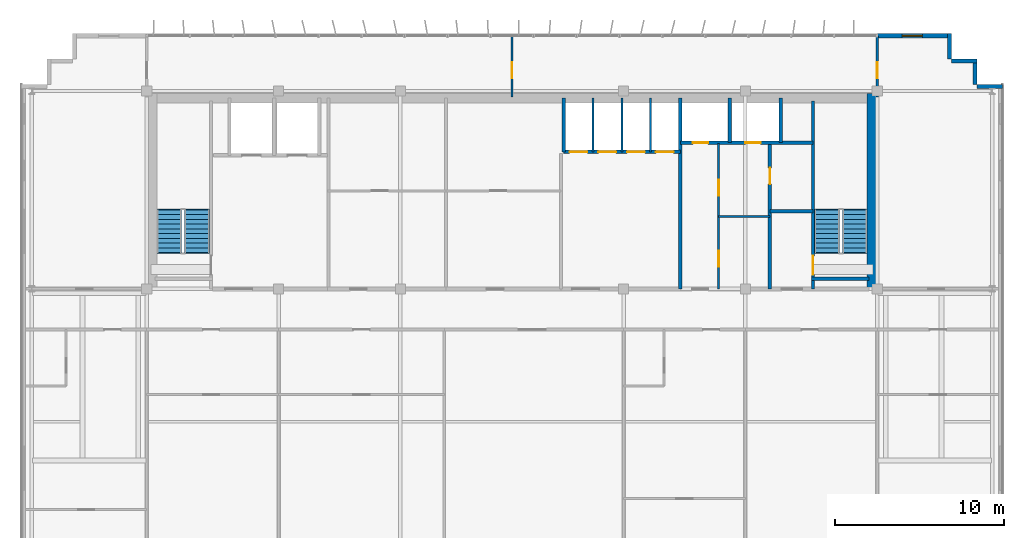
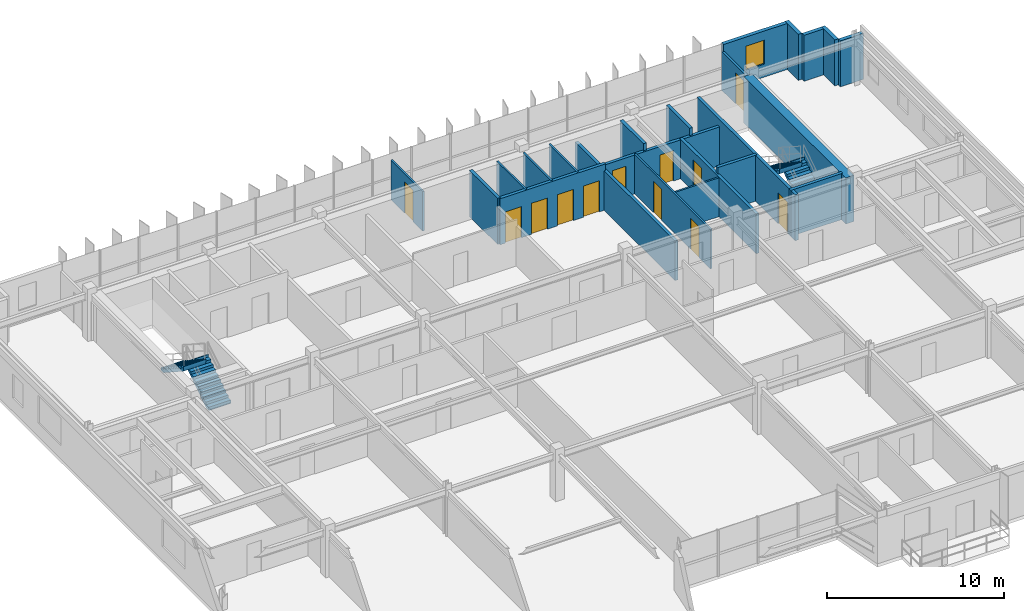
# One storey, part 24 of 26: 23 walls, 12 doors, 4 stair flights, 1 window, 13 openings, 2 elements without a shape of their own.
"""IFC4 building model written with IfcOpenShell, lengths in metres."""

from ifc_helpers import new_model, si_unit, direction, frame, frame_2d, origin, place, context, subcontext, project, spatial, polyline, rectangle, outline, extrude, source, transform, mapped, material, layer, layer_set, type_object, element, fill, aggregate, save


model = new_model("IFC4")

# Units and contexts
model_context = context("Model", 3, precision=1e-05, world=origin(), true_north=direction((0.0, 1.0)))
body_context = subcontext(model_context, "Body", "Model", "MODEL_VIEW")
ifc_project = project(units=[si_unit("LENGTHUNIT", "METRE"), si_unit("AREAUNIT", "SQUARE_METRE"), si_unit("VOLUMEUNIT", "CUBIC_METRE"), si_unit("PLANEANGLEUNIT", "RADIAN"), si_unit("MASSUNIT", "GRAM", prefix="KILO")], contexts=[model_context])

# Site, building, storey
site_placement = place(None, origin())
site = spatial("IfcSite", under=ifc_project, at=site_placement, CompositionType="ELEMENT")
building_placement = place(site_placement, origin())
building = spatial("IfcBuilding", under=site, at=building_placement, Name="Trelvane Seafront Commons", CompositionType="ELEMENT")
storey_placement = place(building_placement, frame((0.0, 0.0, 291.89990234375)))
storey = spatial("IfcBuildingStorey", under=building, at=storey_placement, Name="L76", CompositionType="ELEMENT", Elevation=291.89990234375)

# Wall, opening, window
ifc_material_1 = material(Name="Precast concrete C40/50", Category="concrete")
ifc_layer_1 = layer(ifc_material_1, 0.239990234375, Name="ARCH-WALL-EXT240")
ifc_layer_set_1 = layer_set([ifc_layer_1], Name="Precast concrete C40/50")
wall_type_1 = type_object("IfcWallType", Name="ARCH-WALL-EXT240", PredefinedType="SOLIDWALL", material=ifc_layer_set_1)
wall_1_placement = place(storey_placement, frame((58.800048828125, 48.3701171875, 0.0), z_axis=(0.0, 0.0, 1.0), x_axis=(1.0, 0.0, 0.0)))
wall_1 = element("IfcWall", 1, at=wall_1_placement, inside=storey, type_object=wall_type_1, Name="EW-L76-NE-1534", PredefinedType="SOLIDWALL", context=body_context, shape_type="SweptSolid", body=[
    extrude(rectangle(XDim=4.300048828125, YDim=0.239990234375, at=frame_2d((2.14990234375, 0.0))), origin(), (0.0, 0.0, 1.0), 3.18017578125),
])
opening_1_placement = place(wall_1_placement, frame((1.4599609375, 0.0, 0.89990234375)))
opening_1 = element("IfcOpeningElement", 2, at=opening_1_placement, cuts=wall_1, Name="Opening W05", PredefinedType="OPENING", context=body_context, shape_type="SweptSolid", body=[
    extrude(rectangle(XDim=1.199951171875, YDim=1.64990234375, at=frame_2d((0.60009765625, 0.824951171875))), frame((0.0, 0.1298828125, 0.0), z_axis=(0.0, -1.0, 0.0), x_axis=(1.0, 0.0, 0.0)), (0.0, 0.0, 1.0), 0.260009765625),
])
ifc_material_2 = material(Name="Low-E coastal double glazing", Category="glass")
window_type = type_object("IfcWindowType", Name="ARCH-WIN-W05", PartitioningType="SINGLE_PANEL", PredefinedType="WINDOW", material=ifc_material_2)
shared_shape_1 = source(origin(), body_context, "Body", "SweptSolid", [
    extrude(rectangle(XDim=1.199951171875, YDim=1.64990234375, at=frame_2d((0.60009765625, 0.824951171875))), frame((0.0, 0.030029296875, 0.0), z_axis=(0.0, -1.0, 0.0), x_axis=(1.0, 0.0, 0.0)), (0.0, 0.0, 1.0), 0.06005859375),
])
window_placement = place(opening_1_placement, origin())
window = element("IfcWindow", 3, at=window_placement, inside=storey, type_object=window_type, Name="WIN-L76-01818", OverallHeight=1.64990234375, OverallWidth=1.199951171875, PartitioningType="SINGLE_PANEL", PredefinedType="WINDOW", context=body_context, shape_type="MappedRepresentation", body=[
    mapped(shared_shape_1, transform((0.0, 0.0, 0.0), x_axis=(1.0, 0.0, 0.0), y_axis=(0.0, 1.0, 0.0), z_axis=(0.0, 0.0, 1.0), scale=1.0)),
])
fill(opening_1, window)

# Walls
for number, where, z_axis, x_axis, name in (
    (4, (63.080078125, 48.5, 0.0), (0.0, 0.0, 1.0), (0.0, -1.0, 0.0), "EW-L76-01543"),
    (5, (63.199951171875, 46.8798828125, 0.0), (0.0, 0.0, 1.0), (1.0, 0.0, 0.0), "EW-L76-01544"),
    (6, (64.580078125, 47.0, 0.0), (0.0, 0.0, 1.0), (0.0, -1.0, 0.0), "EW-L76-01545"),
    (7, (64.699951171875, 45.3798828125, 0.0), (0.0, 0.0, 1.0), (1.0, 0.0, 0.0), "EW-L76-01546"),
):
    element("IfcWall", number, at=place(storey_placement, frame(where, z_axis=z_axis, x_axis=x_axis)), inside=storey, type_object=wall_type_1, Name=name, PredefinedType="SOLIDWALL", context=body_context, shape_type="SweptSolid", body=[
        extrude(rectangle(XDim=1.5, YDim=0.239990234375, at=frame_2d((0.75, 0.0))), origin(), (0.0, 0.0, 1.0), 3.18017578125),
    ])

# Wall, opening, door
ifc_material_3 = material(Name="Concrete C40/50", Category="concrete")
ifc_layer_2 = layer(ifc_material_3, 0.199951171875, Name="ARCH-WALL-FIRE200")
ifc_layer_set_2 = layer_set([ifc_layer_2], Name="Concrete C40/50")
wall_type_2 = type_object("IfcWallType", Name="ARCH-WALL-FIRE200", PredefinedType="PARTITIONING", material=ifc_layer_set_2)
wall_2_placement = place(storey_placement, frame((52.449951171875, 33.39990234375, 0.0), z_axis=(0.0, 0.0, 1.0), x_axis=(0.0, 1.0, 0.0)))
wall_2 = element("IfcWall", 8, at=wall_2_placement, inside=storey, type_object=wall_type_2, Name="W-L76-ST2V-W-030", PredefinedType="PARTITIONING", context=body_context, shape_type="SweptSolid", body=[
    extrude(rectangle(XDim=8.650146484375, YDim=0.199951171875, at=frame_2d((4.3251953125, 0.0))), origin(), (0.0, 0.0, 1.0), 2.72998046875),
])
opening_2_placement = place(wall_2_placement, frame((6.199951171875, 0.0, 0.0)))
opening_2 = element("IfcOpeningElement", 9, at=opening_2_placement, cuts=wall_2, Name="Opening FD-L76-17", PredefinedType="OPENING", context=body_context, shape_type="SweptSolid", body=[
    extrude(rectangle(XDim=0.949951171875, YDim=2.14990234375, at=frame_2d((0.47509765625, 1.074951171875))), frame((0.0, 0.10986328125, 0.0), z_axis=(0.0, -1.0, 0.0), x_axis=(1.0, 0.0, 0.0)), (0.0, 0.0, 1.0), 0.219970703125),
])
ifc_material_4 = material(Name="Powder-coated aluminium frame", Category="aluminium")
door_type_1 = type_object("IfcDoorType", Name="ARCH-DR-FD60-950", OperationType="NOTDEFINED", PredefinedType="DOOR", material=ifc_material_4)
shared_shape_2 = source(origin(), body_context, "Body", "SweptSolid", [
    extrude(rectangle(XDim=0.949951171875, YDim=2.14990234375, at=frame_2d((0.47509765625, 1.074951171875))), frame((0.0, 0.02490234375, 0.0), z_axis=(0.0, -1.0, 0.0), x_axis=(1.0, 0.0, 0.0)), (0.0, 0.0, 1.0), 0.050048828125),
])
door_1_placement = place(opening_2_placement, origin())
door_1 = element("IfcDoor", 10, at=door_1_placement, inside=storey, type_object=door_type_1, Name="L76 Cleaner Store Door", OperationType="SINGLE_SWING_LEFT", OverallHeight=2.14990234375, OverallWidth=0.949951171875, PredefinedType="DOOR", context=body_context, shape_type="MappedRepresentation", body=[
    mapped(shared_shape_2, transform((0.0, 0.0, 0.0), x_axis=(1.0, 0.0, 0.0), y_axis=(0.0, 1.0, 0.0), z_axis=(0.0, 0.0, 1.0), scale=1.0)),
])
fill(opening_2, door_1)

# Walls
wall_3_placement = place(storey_placement, frame((52.449951171875, 38.0, 0.0), z_axis=(0.0, 0.0, 1.0), x_axis=(1.0, 0.0, 0.0)))
element("IfcWall", 11, at=wall_3_placement, inside=storey, type_object=wall_type_2, Name="W-L76-ST2V-N-031", PredefinedType="PARTITIONING", context=body_context, shape_type="SweptSolid", body=[
    extrude(rectangle(XDim=2.550048828125, YDim=0.199951171875, at=frame_2d((1.27490234375, 0.0))), origin(), (0.0, 0.0, 1.0), 3.18017578125),
])
ifc_material_5 = material(Name="Gypsum Drywall Acoustic Partition")
ifc_layer_3 = layer(ifc_material_5, 0.1201171875, Name="ARCH-WALL-PART120")
ifc_layer_set_3 = layer_set([ifc_layer_3], Name="Gypsum Drywall Acoustic Partition")
wall_type_3 = type_object("IfcWallType", Name="ARCH-WALL-PART120", PredefinedType="PARTITIONING", material=ifc_layer_set_3)
for number, where, z_axis, x_axis, name in (
    (12, (42.0, 41.5, 0.0), (0.0, 0.0, 1.0), (0.0, 1.0, 0.0), "W-L76-PH-DIV1-020"),
    (13, (43.699951171875, 41.5, 0.0), (0.0, 0.0, 1.0), (0.0, 1.0, 0.0), "W-L76-PH-DIV2-021"),
    (14, (45.39990234375, 41.5, 0.0), (0.0, 0.0, 1.0), (0.0, 1.0, 0.0), "W-L76-PH-DIV3-022"),
):
    element("IfcWall", number, at=place(storey_placement, frame(where, z_axis=z_axis, x_axis=x_axis)), inside=storey, type_object=wall_type_3, Name=name, PredefinedType="PARTITIONING", context=body_context, shape_type="SweptSolid", body=[
        extrude(rectangle(XDim=3.199951171875, YDim=0.1201171875, at=frame_2d((1.60009765625, 0.0))), origin(), (0.0, 0.0, 1.0), 3.18017578125),
    ])

# Wall, openings, doors
wall_4_placement = place(storey_placement, frame((49.419921875, 33.39990234375, 0.0), z_axis=(0.0, 0.0, 1.0), x_axis=(0.0, 1.0, 0.0)))
wall_4 = element("IfcWall", 15, at=wall_4_placement, inside=storey, type_object=wall_type_3, Name="W-L76-CYC0-V-032", PredefinedType="PARTITIONING", context=body_context, shape_type="SweptSolid", body=[
    extrude(rectangle(XDim=8.60009765625, YDim=0.1201171875, at=frame_2d((4.300048828125, 0.0))), origin(), (0.0, 0.0, 1.0), 2.72998046875),
])
opening_3_placement = place(wall_4_placement, frame((1.300048828125, 0.0, 0.0)))
opening_3 = element("IfcOpeningElement", 16, at=opening_3_placement, cuts=wall_4, Name="Opening D-L76-18", PredefinedType="OPENING", context=body_context, shape_type="SweptSolid", body=[
    extrude(rectangle(XDim=0.949951171875, YDim=2.14990234375, at=frame_2d((0.47509765625, 1.074951171875))), frame((0.0, 0.070068359375, 0.0), z_axis=(0.0, -1.0, 0.0), x_axis=(1.0, 0.0, 0.0)), (0.0, 0.0, 1.0), 0.14013671875),
])
opening_4_placement = place(wall_4_placement, frame((5.5, 0.0, 0.0)))
opening_4 = element("IfcOpeningElement", 17, at=opening_4_placement, cuts=wall_4, Name="Opening D-L76-19", PredefinedType="OPENING", context=body_context, shape_type="SweptSolid", body=[
    extrude(rectangle(XDim=0.949951171875, YDim=2.14990234375, at=frame_2d((0.47509765625, 1.074951171875))), frame((0.0, 0.070068359375, 0.0), z_axis=(0.0, -1.0, 0.0), x_axis=(1.0, 0.0, 0.0)), (0.0, 0.0, 1.0), 0.14013671875),
])
ifc_material_6 = material(Name="Acoustic timber door leaf", Category="wood")
door_type_2 = type_object("IfcDoorType", Name="ARCH-DR-INT950", OperationType="NOTDEFINED", PredefinedType="DOOR", material=ifc_material_6)
door_2_placement = place(opening_3_placement, origin())
door_2 = element("IfcDoor", 18, at=door_2_placement, inside=storey, type_object=door_type_2, Name="L76 Accessible WC Door", OperationType="SINGLE_SWING_RIGHT", OverallHeight=2.14990234375, OverallWidth=0.949951171875, PredefinedType="DOOR", context=body_context, shape_type="MappedRepresentation", body=[
    mapped(shared_shape_2, transform((0.0, 0.0, 0.0), x_axis=(1.0, 0.0, 0.0), y_axis=(0.0, 1.0, 0.0), z_axis=(0.0, 0.0, 1.0), scale=1.0)),
])
fill(opening_3, door_2)
door_3_placement = place(opening_4_placement, origin())
door_3 = element("IfcDoor", 19, at=door_3_placement, inside=storey, type_object=door_type_2, Name="L76 Common WC Door", OperationType="SINGLE_SWING_LEFT", OverallHeight=2.14990234375, OverallWidth=0.949951171875, PredefinedType="DOOR", context=body_context, shape_type="MappedRepresentation", body=[
    mapped(shared_shape_2, transform((0.0, 0.0, 0.0), x_axis=(1.0, 0.0, 0.0), y_axis=(0.0, 1.0, 0.0), z_axis=(0.0, 0.0, 1.0), scale=1.0)),
])
fill(opening_4, door_3)

# Wall
wall_5_placement = place(storey_placement, frame((49.419921875, 37.679931640625, 0.0), z_axis=(0.0, 0.0, 1.0), x_axis=(1.0, 0.0, 0.0)))
element("IfcWall", 20, at=wall_5_placement, inside=storey, type_object=wall_type_3, Name="W-L76-CYC0-H-033", PredefinedType="PARTITIONING", context=body_context, shape_type="SweptSolid", body=[
    extrude(rectangle(XDim=3.030029296875, YDim=0.1201171875, at=frame_2d((1.51513671875, 0.0))), origin(), (0.0, 0.0, 1.0), 2.68017578125),
])

# Wall, opening, door
wall_6_placement = place(storey_placement, frame((37.199951171875, 44.75, 0.0), z_axis=(0.0, 0.0, 1.0), x_axis=(0.0, 1.0, 0.0)))
wall_6 = element("IfcWall", 21, at=wall_6_placement, inside=storey, type_object=wall_type_3, Name="W-L76-N-MID-DV-037", PredefinedType="PARTITIONING", context=body_context, shape_type="SweptSolid", body=[
    extrude(rectangle(XDim=3.610107421875, YDim=0.1201171875, at=frame_2d((1.80517578125, 0.0))), origin(), (0.0, 0.0, 1.0), 2.72998046875),
])
opening_5_placement = place(wall_6_placement, frame((1.10009765625, 0.0, 0.0)))
opening_5 = element("IfcOpeningElement", 22, at=opening_5_placement, cuts=wall_6, Name="Opening D-L76-24", PredefinedType="OPENING", context=body_context, shape_type="SweptSolid", body=[
    extrude(rectangle(XDim=0.949951171875, YDim=2.14990234375, at=frame_2d((0.47509765625, 1.074951171875))), frame((0.0, 0.070068359375, 0.0), z_axis=(0.0, -1.0, 0.0), x_axis=(1.0, 0.0, 0.0)), (0.0, 0.0, 1.0), 0.14013671875),
])
door_4_placement = place(opening_5_placement, origin())
door_4 = element("IfcDoor", 23, at=door_4_placement, inside=storey, type_object=door_type_2, Name="L76 Door 24", OperationType="SINGLE_SWING_RIGHT", OverallHeight=2.14990234375, OverallWidth=0.949951171875, PredefinedType="DOOR", context=body_context, shape_type="MappedRepresentation", body=[
    mapped(shared_shape_2, transform((0.0, 0.0, 0.0), x_axis=(1.0, 0.0, 0.0), y_axis=(0.0, 1.0, 0.0), z_axis=(0.0, 0.0, 1.0), scale=1.0)),
])
fill(opening_5, door_4)

ifc_layer_4 = layer(ifc_material_5, 0.14990234375, Name="ARCH-WALL-PART150")
ifc_layer_set_4 = layer_set([ifc_layer_4], Name="Gypsum Drywall Acoustic Partition")
wall_type_4 = type_object("IfcWallType", Name="ARCH-WALL-PART150", PredefinedType="PARTITIONING", material=ifc_layer_set_4)
wall_7_placement = place(storey_placement, frame((58.800048828125, 44.75, 0.0), z_axis=(0.0, 0.0, 1.0), x_axis=(0.0, 1.0, 0.0)))
wall_7 = element("IfcWall", 24, at=wall_7_placement, inside=storey, type_object=wall_type_4, Name="W-L76-N-LINK-E-039", PredefinedType="PARTITIONING", context=body_context, shape_type="SweptSolid", body=[
    extrude(rectangle(XDim=3.610107421875, YDim=0.14990234375, at=frame_2d((1.80517578125, 0.0))), origin(), (0.0, 0.0, 1.0), 2.68017578125),
])
opening_6_placement = place(wall_7_placement, frame((1.10009765625, 0.0, 0.0)))
opening_6 = element("IfcOpeningElement", 25, at=opening_6_placement, cuts=wall_7, Name="Opening FD-L76-26", PredefinedType="OPENING", context=body_context, shape_type="SweptSolid", body=[
    extrude(rectangle(XDim=0.949951171875, YDim=2.14990234375, at=frame_2d((0.47509765625, 1.074951171875))), frame((0.0, 0.0849609375, 0.0), z_axis=(0.0, -1.0, 0.0), x_axis=(1.0, 0.0, 0.0)), (0.0, 0.0, 1.0), 0.169921875),
])
door_5_placement = place(opening_6_placement, origin())
door_5 = element("IfcDoor", 26, at=door_5_placement, inside=storey, type_object=door_type_1, Name="L76 Door 26", OperationType="SINGLE_SWING_RIGHT", OverallHeight=2.14990234375, OverallWidth=0.949951171875, PredefinedType="DOOR", context=body_context, shape_type="MappedRepresentation", body=[
    mapped(shared_shape_2, transform((0.0, 0.0, 0.0), x_axis=(1.0, 0.0, 0.0), y_axis=(0.0, 1.0, 0.0), z_axis=(0.0, 0.0, 1.0), scale=1.0)),
])
fill(opening_6, door_5)

# Wall, openings, doors
ifc_layer_5 = layer(ifc_material_3, 0.199951171875, Name="ARCH-WALL-SHAFT200")
ifc_layer_set_5 = layer_set([ifc_layer_5], Name="Concrete C40/50")
wall_type_5 = type_object("IfcWallType", Name="ARCH-WALL-SHAFT200", PredefinedType="SOLIDWALL", material=ifc_layer_set_5)
wall_8_placement = place(storey_placement, frame((40.25, 41.5, 0.0), z_axis=(0.0, 0.0, 1.0), x_axis=(1.0, 0.0, 0.0)))
wall_8 = element("IfcWall", 27, at=wall_8_placement, inside=storey, type_object=wall_type_5, Name="W-L76-PH-FRONT-018", PredefinedType="SOLIDWALL", context=body_context, shape_type="SweptSolid", body=[
    extrude(rectangle(XDim=6.89990234375, YDim=0.199951171875, at=frame_2d((3.449951171875, 0.0))), origin(), (0.0, 0.0, 1.0), 3.18017578125),
])
opening_7_placement = place(wall_8_placement, frame((0.35009765625, 0.0, 0.0)))
opening_7 = element("IfcOpeningElement", 28, at=opening_7_placement, cuts=wall_8, Name="Opening LD-PH1-L76", PredefinedType="OPENING", context=body_context, shape_type="SweptSolid", body=[
    extrude(rectangle(XDim=1.050048828125, YDim=2.14990234375, at=frame_2d((0.52490234375, 1.074951171875))), frame((0.0, 0.10986328125, 0.0), z_axis=(0.0, -1.0, 0.0), x_axis=(1.0, 0.0, 0.0)), (0.0, 0.0, 1.0), 0.219970703125),
])
opening_8_placement = place(wall_8_placement, frame((2.050048828125, 0.0, 0.0)))
opening_8 = element("IfcOpeningElement", 29, at=opening_8_placement, cuts=wall_8, Name="Opening LD-PH2-L76", PredefinedType="OPENING", context=body_context, shape_type="SweptSolid", body=[
    extrude(rectangle(XDim=1.050048828125, YDim=2.14990234375, at=frame_2d((0.52490234375, 1.074951171875))), frame((0.0, 0.10986328125, 0.0), z_axis=(0.0, -1.0, 0.0), x_axis=(1.0, 0.0, 0.0)), (0.0, 0.0, 1.0), 0.219970703125),
])
opening_9_placement = place(wall_8_placement, frame((3.75, 0.0, 0.0)))
opening_9 = element("IfcOpeningElement", 30, at=opening_9_placement, cuts=wall_8, Name="Opening LD-PH3-L76", PredefinedType="OPENING", context=body_context, shape_type="SweptSolid", body=[
    extrude(rectangle(XDim=1.050048828125, YDim=2.14990234375, at=frame_2d((0.52490234375, 1.074951171875))), frame((0.0, 0.10986328125, 0.0), z_axis=(0.0, -1.0, 0.0), x_axis=(1.0, 0.0, 0.0)), (0.0, 0.0, 1.0), 0.219970703125),
])
opening_10_placement = place(wall_8_placement, frame((5.449951171875, 0.0, 0.0)))
opening_10 = element("IfcOpeningElement", 31, at=opening_10_placement, cuts=wall_8, Name="Opening LD-PH4-L76", PredefinedType="OPENING", context=body_context, shape_type="SweptSolid", body=[
    extrude(rectangle(XDim=1.050048828125, YDim=2.14990234375, at=frame_2d((0.52490234375, 1.074951171875))), frame((0.0, 0.10986328125, 0.0), z_axis=(0.0, -1.0, 0.0), x_axis=(1.0, 0.0, 0.0)), (0.0, 0.0, 1.0), 0.219970703125),
])
ifc_material_7 = material(Name="Stainless steel balustrade", Category="steel")
door_type_3 = type_object("IfcDoorType", Name="ARCH-DR-LD1050", OperationType="DOUBLE_DOOR_SLIDING", PredefinedType="DOOR", material=ifc_material_7)
shared_shape_3 = source(origin(), body_context, "Body", "SweptSolid", [
    extrude(rectangle(XDim=1.050048828125, YDim=2.14990234375, at=frame_2d((0.52490234375, 1.074951171875))), frame((0.0, 0.02490234375, 0.0), z_axis=(0.0, -1.0, 0.0), x_axis=(1.0, 0.0, 0.0)), (0.0, 0.0, 1.0), 0.050048828125),
])
door_6_placement = place(opening_7_placement, origin())
door_6 = element("IfcDoor", 32, at=door_6_placement, inside=storey, type_object=door_type_3, Name="L76 Passenger Lift PH-1 Landing Door", OperationType="DOUBLE_DOOR_SLIDING", OverallHeight=2.14990234375, OverallWidth=1.050048828125, PredefinedType="DOOR", context=body_context, shape_type="MappedRepresentation", body=[
    mapped(shared_shape_3, transform((0.0, 0.0, 0.0), x_axis=(1.0, 0.0, 0.0), y_axis=(0.0, 1.0, 0.0), z_axis=(0.0, 0.0, 1.0), scale=1.0)),
])
fill(opening_7, door_6)
door_7_placement = place(opening_8_placement, origin())
door_7 = element("IfcDoor", 33, at=door_7_placement, inside=storey, type_object=door_type_3, Name="L76 Passenger Lift PH-2 Landing Door", OperationType="DOUBLE_DOOR_SLIDING", OverallHeight=2.14990234375, OverallWidth=1.050048828125, PredefinedType="DOOR", context=body_context, shape_type="MappedRepresentation", body=[
    mapped(shared_shape_3, transform((0.0, 0.0, 0.0), x_axis=(1.0, 0.0, 0.0), y_axis=(0.0, 1.0, 0.0), z_axis=(0.0, 0.0, 1.0), scale=1.0)),
])
fill(opening_8, door_7)
door_8_placement = place(opening_9_placement, origin())
door_8 = element("IfcDoor", 34, at=door_8_placement, inside=storey, type_object=door_type_3, Name="L76 Passenger Lift PH-3 Landing Door", OperationType="DOUBLE_DOOR_SLIDING", OverallHeight=2.14990234375, OverallWidth=1.050048828125, PredefinedType="DOOR", context=body_context, shape_type="MappedRepresentation", body=[
    mapped(shared_shape_3, transform((0.0, 0.0, 0.0), x_axis=(1.0, 0.0, 0.0), y_axis=(0.0, 1.0, 0.0), z_axis=(0.0, 0.0, 1.0), scale=1.0)),
])
fill(opening_9, door_8)
door_9_placement = place(opening_10_placement, origin())
door_9 = element("IfcDoor", 35, at=door_9_placement, inside=storey, type_object=door_type_3, Name="L76 Passenger Lift PH-4 Landing Door", OperationType="DOUBLE_DOOR_SLIDING", OverallHeight=2.14990234375, OverallWidth=1.050048828125, PredefinedType="DOOR", context=body_context, shape_type="MappedRepresentation", body=[
    mapped(shared_shape_3, transform((0.0, 0.0, 0.0), x_axis=(1.0, 0.0, 0.0), y_axis=(0.0, 1.0, 0.0), z_axis=(0.0, 0.0, 1.0), scale=1.0)),
])
fill(opening_10, door_9)

# Walls
wall_9_placement = place(storey_placement, frame((40.25, 41.5, 0.0), z_axis=(0.0, 0.0, 1.0), x_axis=(0.0, 1.0, 0.0)))
element("IfcWall", 36, at=wall_9_placement, inside=storey, type_object=wall_type_5, Name="W-L76-PH-WEST-SH-019", PredefinedType="SOLIDWALL", context=body_context, shape_type="SweptSolid", body=[
    extrude(rectangle(XDim=3.199951171875, YDim=0.199951171875, at=frame_2d((1.60009765625, 0.0))), origin(), (0.0, 0.0, 1.0), 3.18017578125),
])
wall_10_placement = place(storey_placement, frame((47.14990234375, 33.39990234375, 0.0), z_axis=(0.0, 0.0, 1.0), x_axis=(0.0, 1.0, 0.0)))
element("IfcWall", 37, at=wall_10_placement, inside=storey, type_object=wall_type_5, Name="W-L76-PH-EAST-023", PredefinedType="SOLIDWALL", context=body_context, shape_type="SweptSolid", body=[
    extrude(rectangle(XDim=11.300048828125, YDim=0.199951171875, at=frame_2d((5.64990234375, 0.0))), origin(), (0.0, 0.0, 1.0), 2.72998046875),
])

# Wall, openings, doors
wall_11_placement = place(storey_placement, frame((47.14990234375, 42.050048828125, 0.0), z_axis=(0.0, 0.0, 1.0), x_axis=(1.0, 0.0, 0.0)))
wall_11 = element("IfcWall", 38, at=wall_11_placement, inside=storey, type_object=wall_type_5, Name="W-L76-RSR-S-027", PredefinedType="SOLIDWALL", context=body_context, shape_type="SweptSolid", body=[
    extrude(rectangle(XDim=7.85009765625, YDim=0.199951171875, at=frame_2d((3.925048828125, 0.0))), origin(), (0.0, 0.0, 1.0), 2.68017578125),
])
opening_11_placement = place(wall_11_placement, frame((0.75, 0.0, 0.0)))
opening_11 = element("IfcOpeningElement", 39, at=opening_11_placement, cuts=wall_11, Name="Opening FD-L76-15", PredefinedType="OPENING", context=body_context, shape_type="SweptSolid", body=[
    extrude(rectangle(XDim=0.89990234375, YDim=2.10009765625, at=frame_2d((0.449951171875, 1.050048828125))), frame((0.0, 0.10986328125, 0.0), z_axis=(0.0, -1.0, 0.0), x_axis=(1.0, 0.0, 0.0)), (0.0, 0.0, 1.0), 0.219970703125),
])
opening_12_placement = place(wall_11_placement, frame((3.85009765625, 0.0, 0.0)))
opening_12 = element("IfcOpeningElement", 40, at=opening_12_placement, cuts=wall_11, Name="Opening FD-L76-16", PredefinedType="OPENING", context=body_context, shape_type="SweptSolid", body=[
    extrude(rectangle(XDim=0.89990234375, YDim=2.10009765625, at=frame_2d((0.449951171875, 1.050048828125))), frame((0.0, 0.10986328125, 0.0), z_axis=(0.0, -1.0, 0.0), x_axis=(1.0, 0.0, 0.0)), (0.0, 0.0, 1.0), 0.219970703125),
])
door_type_4 = type_object("IfcDoorType", Name="ARCH-DR-FD60-900", OperationType="NOTDEFINED", PredefinedType="DOOR", material=ifc_material_4)
shared_shape_4 = source(origin(), body_context, "Body", "SweptSolid", [
    extrude(rectangle(XDim=0.89990234375, YDim=2.10009765625, at=frame_2d((0.449951171875, 1.050048828125))), frame((0.0, 0.02490234375, 0.0), z_axis=(0.0, -1.0, 0.0), x_axis=(1.0, 0.0, 0.0)), (0.0, 0.0, 1.0), 0.050048828125),
])
door_10_placement = place(opening_11_placement, origin())
door_10 = element("IfcDoor", 41, at=door_10_placement, inside=storey, type_object=door_type_4, Name="L76 Electrical Riser Access Door", OperationType="SINGLE_SWING_LEFT", OverallHeight=2.10009765625, OverallWidth=0.89990234375, PredefinedType="DOOR", context=body_context, shape_type="MappedRepresentation", body=[
    mapped(shared_shape_4, transform((0.0, 0.0, 0.0), x_axis=(1.0, 0.0, 0.0), y_axis=(0.0, 1.0, 0.0), z_axis=(0.0, 0.0, 1.0), scale=1.0)),
])
fill(opening_11, door_10)
door_11_placement = place(opening_12_placement, origin())
door_11 = element("IfcDoor", 42, at=door_11_placement, inside=storey, type_object=door_type_4, Name="L76 Mechanical Riser Access Door", OperationType="SINGLE_SWING_RIGHT", OverallHeight=2.10009765625, OverallWidth=0.89990234375, PredefinedType="DOOR", context=body_context, shape_type="MappedRepresentation", body=[
    mapped(shared_shape_4, transform((0.0, 0.0, 0.0), x_axis=(1.0, 0.0, 0.0), y_axis=(0.0, 1.0, 0.0), z_axis=(0.0, 0.0, 1.0), scale=1.0)),
])
fill(opening_12, door_11)

# Walls
for number, where, z_axis, x_axis, name in (
    (43, (50.080078125, 42.050048828125, 0.0), (0.0, 0.0, 1.0), (0.0, 1.0, 0.0), "W-L76-RSR-DIV-028"),
    (44, (53.10009765625, 42.050048828125, 0.0), (0.0, 0.0, 1.0), (0.0, 1.0, 0.0), "W-L76-RSR-E-029"),
):
    element("IfcWall", number, at=place(storey_placement, frame(where, z_axis=z_axis, x_axis=x_axis)), inside=storey, type_object=wall_type_5, Name=name, PredefinedType="SOLIDWALL", context=body_context, shape_type="SweptSolid", body=[
        extrude(rectangle(XDim=2.64990234375, YDim=0.199951171875, at=frame_2d((1.324951171875, 0.0))), origin(), (0.0, 0.0, 1.0), 3.18017578125),
    ])
ifc_material_8 = material(Name="Concrete C50/60", Category="concrete")
ifc_layer_6 = layer(ifc_material_8, 0.550048828125, Name="STR-WALL-CORE550")
ifc_layer_set_6 = layer_set([ifc_layer_6], Name="Concrete C50/60")
wall_type_6 = type_object("IfcWallType", Name="STR-WALL-CORE550", PredefinedType="SHEAR", material=ifc_layer_set_6)
wall_12_placement = place(storey_placement, frame((58.47509765625, 33.39990234375, 0.0), z_axis=(0.0, 0.0, 1.0), x_axis=(0.0, 1.0, 0.0)))
element("IfcWall", 45, at=wall_12_placement, inside=storey, type_object=wall_type_6, Name="W-L76-CE-END-003", PredefinedType="SHEAR", context=body_context, shape_type="SweptSolid", body=[
    extrude(rectangle(XDim=11.550048828125, YDim=0.550048828125, at=frame_2d((5.77490234375, 0.0))), origin(), (0.0, 0.0, 1.0), 3.18017578125),
])
ifc_layer_7 = layer(ifc_material_8, 0.199951171875, Name="STR-WALL-STAIR200")
ifc_layer_set_7 = layer_set([ifc_layer_7], Name="Concrete C50/60")
wall_type_7 = type_object("IfcWallType", Name="STR-WALL-STAIR200", PredefinedType="SHEAR", material=ifc_layer_set_7)
wall_13_placement = place(storey_placement, frame((54.89990234375, 34.0, 0.0), z_axis=(0.0, 0.0, 1.0), x_axis=(1.0, 0.0, 0.0)))
element("IfcWall", 46, at=wall_13_placement, inside=storey, type_object=wall_type_7, Name="W-L76-ST2-S-006", PredefinedType="SHEAR", context=body_context, shape_type="SweptSolid", body=[
    extrude(rectangle(XDim=3.400146484375, YDim=0.199951171875, at=frame_2d((1.7001953125, 0.0))), origin(), (0.0, 0.0, 1.0), 3.18017578125),
])

# Wall, opening, door
wall_14_placement = place(storey_placement, frame((55.0, 33.39990234375, 0.0), z_axis=(0.0, 0.0, 1.0), x_axis=(0.0, 1.0, 0.0)))
wall_14 = element("IfcWall", 47, at=wall_14_placement, inside=storey, type_object=wall_type_7, Name="W-L76-ST2-W-007", PredefinedType="SHEAR", context=body_context, shape_type="SweptSolid", body=[
    extrude(rectangle(XDim=11.10009765625, YDim=0.199951171875, at=frame_2d((5.550048828125, 0.0))), origin(), (0.0, 0.0, 1.0), 3.18017578125),
])
opening_13_placement = place(wall_14_placement, frame((0.85009765625, 0.0, 0.0)))
opening_13 = element("IfcOpeningElement", 48, at=opening_13_placement, cuts=wall_14, Name="Opening ST-D2-L76", PredefinedType="OPENING", context=body_context, shape_type="SweptSolid", body=[
    extrude(rectangle(XDim=1.10009765625, YDim=2.14990234375, at=frame_2d((0.550048828125, 1.074951171875))), frame((0.0, 0.10986328125, 0.0), z_axis=(0.0, -1.0, 0.0), x_axis=(1.0, 0.0, 0.0)), (0.0, 0.0, 1.0), 0.219970703125),
])
door_type_5 = type_object("IfcDoorType", Name="ARCH-DR-FD90-1100", OperationType="NOTDEFINED", PredefinedType="DOOR", material=ifc_material_4)
shared_shape_5 = source(origin(), body_context, "Body", "SweptSolid", [
    extrude(rectangle(XDim=1.10009765625, YDim=2.14990234375, at=frame_2d((0.550048828125, 1.074951171875))), frame((0.0, 0.02490234375, 0.0), z_axis=(0.0, -1.0, 0.0), x_axis=(1.0, 0.0, 0.0)), (0.0, 0.0, 1.0), 0.050048828125),
])
door_12_placement = place(opening_13_placement, origin())
door_12 = element("IfcDoor", 49, at=door_12_placement, inside=storey, type_object=door_type_5, Name="L76 Stair ST-2 Vestibule Fire Door", OperationType="SINGLE_SWING_RIGHT", OverallHeight=2.14990234375, OverallWidth=1.10009765625, PredefinedType="DOOR", context=body_context, shape_type="MappedRepresentation", body=[
    mapped(shared_shape_5, transform((0.0, 0.0, 0.0), x_axis=(1.0, 0.0, 0.0), y_axis=(0.0, 1.0, 0.0), z_axis=(0.0, 0.0, 1.0), scale=1.0)),
])
fill(opening_13, door_12)

# Stair, stair flights
stair_type_1 = type_object("IfcStairType", Name="ARCH-STR-ST-1-R20-180", PredefinedType="HALF_TURN_STAIR", material=ifc_material_3)
stair_1_placement = place(storey_placement, origin())
stair_1 = element("IfcStair", 50, at=stair_1_placement, inside=storey, type_object=stair_type_1, Name="L76 West Protected Firefighting Exit Stair ST-1", PredefinedType="HALF_TURN_STAIR")
stair_flight_type_1 = type_object("IfcStairFlightType", Name="ARCH-FLG-ST-1-R20-180", PredefinedType="STRAIGHT", material=ifc_material_3)
shared_shape_6 = source(origin(), body_context, "Body", "SweptSolid", [
    extrude(outline(polyline([(-0.050048828125, -0.02001953125), (-0.050048828125, 0.0), (0.0, 0.0), (0.0, 0.179931640625), (0.280029296875, 0.179931640625), (0.280029296875, 0.360107421875), (0.56005859375, 0.360107421875), (0.56005859375, 0.5400390625), (0.840087890625, 0.5400390625), (0.840087890625, 0.719970703125), (1.1201171875, 0.719970703125), (1.1201171875, 0.89990234375), (1.39990234375, 0.89990234375), (1.39990234375, 1.080078125), (1.679931640625, 1.080078125), (1.679931640625, 1.260009765625), (1.9599609375, 1.260009765625), (1.9599609375, 1.43994140625), (2.239990234375, 1.43994140625), (2.239990234375, 1.6201171875), (2.52001953125, 1.6201171875), (2.52001953125, 1.800048828125), (2.570068359375, 1.800048828125), (2.570068359375, 1.650146484375), (2.52001953125, 1.44189453125), (0.277099609375, -0.02001953125), (-0.050048828125, -0.02001953125)])), frame((0.0, 0.72509765625, 0.0), z_axis=(0.0, -1.0, 0.0), x_axis=(1.0, 0.0, 0.0)), (0.0, 0.0, 1.0), 1.449951171875),
])
stair_flight_1_placement = place(storey_placement, frame((18.574951171875, 35.550048828125, 0.0), z_axis=(0.0, 0.0, 1.0), x_axis=(0.0, 1.0, 0.0)))
stair_flight_1 = element("IfcStairFlight", 51, at=stair_flight_1_placement, type_object=stair_flight_type_1, Name="ST-1 flight 1", NumberOfRisers=10, NumberOfTreads=9, PredefinedType="STRAIGHT", RiserHeight=0.18, TreadLength=0.28, context=body_context, shape_type="MappedRepresentation", body=[
    mapped(shared_shape_6, transform((0.0, 0.0, 0.0), x_axis=(1.0, 0.0, 0.0), y_axis=(0.0, 1.0, 0.0), z_axis=(0.0, 0.0, 1.0), scale=1.0)),
])
stair_flight_2_placement = place(storey_placement, frame((16.925048828125, 38.070068359375, 1.800048828125), z_axis=(0.0, 0.0, 1.0), x_axis=(0.0, -1.0, 0.0)))
stair_flight_2 = element("IfcStairFlight", 52, at=stair_flight_2_placement, type_object=stair_flight_type_1, Name="ST-1 flight 2", NumberOfRisers=10, NumberOfTreads=9, PredefinedType="STRAIGHT", RiserHeight=0.18, TreadLength=0.28, context=body_context, shape_type="MappedRepresentation", body=[
    mapped(shared_shape_6, transform((0.0, 0.0, 0.0), x_axis=(1.0, 0.0, 0.0), y_axis=(0.0, 1.0, 0.0), z_axis=(0.0, 0.0, 1.0), scale=1.0)),
])
aggregate(stair_1, [stair_flight_1, stair_flight_2])

stair_type_2 = type_object("IfcStairType", Name="ARCH-STR-ST-2-R20-180", PredefinedType="HALF_TURN_STAIR", material=ifc_material_3)
stair_2_placement = place(storey_placement, origin())
stair_2 = element("IfcStair", 53, at=stair_2_placement, inside=storey, type_object=stair_type_2, Name="L76 East Protected Firefighting Exit Stair ST-2", PredefinedType="HALF_TURN_STAIR")
stair_flight_type_2 = type_object("IfcStairFlightType", Name="ARCH-FLG-ST-2-R20-180", PredefinedType="STRAIGHT", material=ifc_material_3)
stair_flight_3_placement = place(storey_placement, frame((57.47509765625, 35.550048828125, 0.0), z_axis=(0.0, 0.0, 1.0), x_axis=(0.0, 1.0, 0.0)))
stair_flight_3 = element("IfcStairFlight", 54, at=stair_flight_3_placement, type_object=stair_flight_type_2, Name="ST-2 flight 1", NumberOfRisers=10, NumberOfTreads=9, PredefinedType="STRAIGHT", RiserHeight=0.18, TreadLength=0.28, context=body_context, shape_type="MappedRepresentation", body=[
    mapped(shared_shape_6, transform((0.0, 0.0, 0.0), x_axis=(1.0, 0.0, 0.0), y_axis=(0.0, 1.0, 0.0), z_axis=(0.0, 0.0, 1.0), scale=1.0)),
])
stair_flight_4_placement = place(storey_placement, frame((55.824951171875, 38.070068359375, 1.800048828125), z_axis=(0.0, 0.0, 1.0), x_axis=(0.0, -1.0, 0.0)))
stair_flight_4 = element("IfcStairFlight", 55, at=stair_flight_4_placement, type_object=stair_flight_type_2, Name="ST-2 flight 2", NumberOfRisers=10, NumberOfTreads=9, PredefinedType="STRAIGHT", RiserHeight=0.18, TreadLength=0.28, context=body_context, shape_type="MappedRepresentation", body=[
    mapped(shared_shape_6, transform((0.0, 0.0, 0.0), x_axis=(1.0, 0.0, 0.0), y_axis=(0.0, 1.0, 0.0), z_axis=(0.0, 0.0, 1.0), scale=1.0)),
])
aggregate(stair_2, [stair_flight_3, stair_flight_4])

save(model, "model.ifc")
